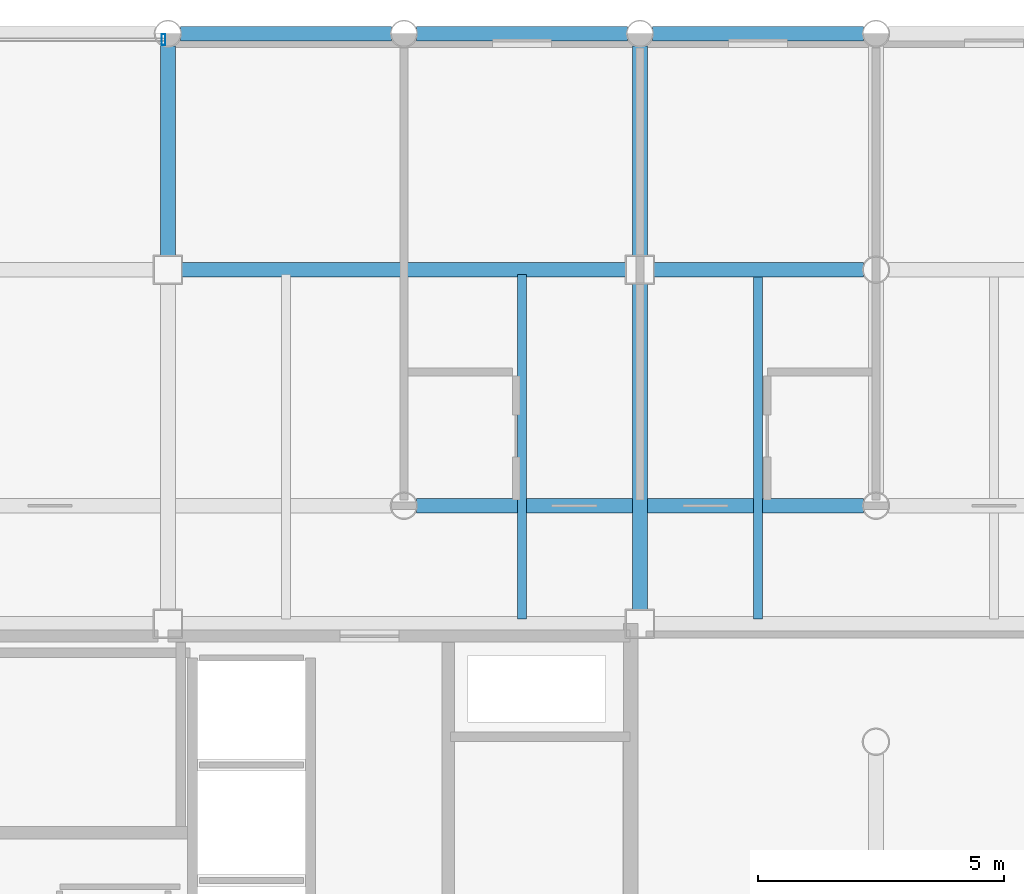
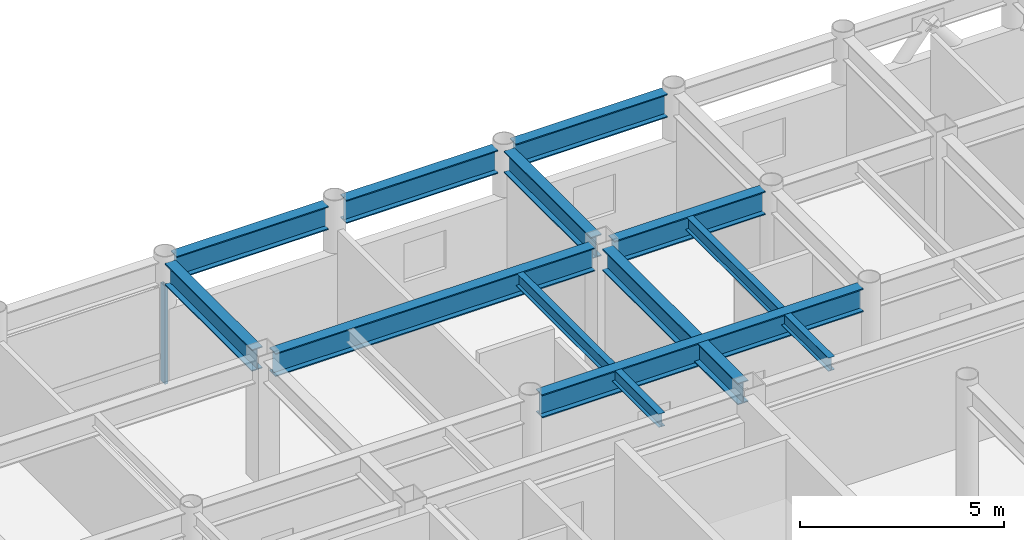
# One storey, part 14 of 22: 11 beams, 1 member, 1 element without a shape of its own.
"""IFC4 building model written with IfcOpenShell, lengths in metres."""

from ifc_helpers import new_model, si_unit, direction, frame, origin, origin_2d, place, context, subcontext, project, spatial, hollow_rectangle, i_section, extrude, material, layer, layer_set, material_profile, profile_set, type_object, element, aggregate, save


model = new_model("IFC4")

# Units and contexts
model_context = context("Model", 3, precision=1e-05, world=origin(), true_north=direction((0.0, 1.0)))
body_context = subcontext(model_context, "Body", "Model", "MODEL_VIEW")
ifc_project = project(units=[si_unit("LENGTHUNIT", "METRE"), si_unit("AREAUNIT", "SQUARE_METRE"), si_unit("VOLUMEUNIT", "CUBIC_METRE"), si_unit("PLANEANGLEUNIT", "RADIAN"), si_unit("MASSUNIT", "GRAM", prefix="KILO")], contexts=[model_context])

# Site, building, storey
site_placement = place(None, origin())
site = spatial("IfcSite", under=ifc_project, at=site_placement, CompositionType="ELEMENT")
building_placement = place(site_placement, origin())
building = spatial("IfcBuilding", under=site, at=building_placement, Name="Kallvorn Hotel Tower", CompositionType="ELEMENT")
storey_placement = place(building_placement, frame((0.0, 0.0, 203.050048828125)))
storey = spatial("IfcBuildingStorey", under=building, at=storey_placement, Name="L50", CompositionType="ELEMENT", Elevation=203.050048828125)

# Beams
ifc_material_1 = material(Name="Structural steel S355JR", Category="steel")
ifc_material_profile_1 = material_profile(ifc_material_1, i_section(OverallWidth=0.300048828125, OverallDepth=0.64990234375, WebThickness=0.01611328125, FlangeThickness=0.031005859375, at=origin_2d()), Name="HE 650 B")
ifc_profile_set_1 = profile_set([ifc_material_profile_1], Name="Structural steel S355JR")
beam_type_1 = type_object("IfcBeamType", Name="BM_HE650B", PredefinedType="BEAM", material=ifc_profile_set_1)
beam_1_placement = place(storey_placement, frame((4.800048828125, 14.675048828125, 3.344970703125), z_axis=(0.0, 1.0, 0.0), x_axis=(-1.0, 0.0, 0.0)))
element("IfcBeam", 1, at=beam_1_placement, inside=storey, type_object=beam_type_1, Name="L51 Primary Y-Girder 117", PredefinedType="BEAM", context=body_context, shape_type="SweptSolid", body=[
    extrude(i_section(OverallWidth=0.300048828125, OverallDepth=0.64990234375, WebThickness=0.01611328125, FlangeThickness=0.031005859375, at=origin_2d()), origin(), (0.0, 0.0, 1.0), 4.2705078125),
])
beam_2_placement = place(storey_placement, frame((14.39990234375, 7.47509765625, 3.344970703125), z_axis=(0.0, 1.0, 0.0), x_axis=(-1.0, 0.0, 0.0)))
element("IfcBeam", 2, at=beam_2_placement, inside=storey, type_object=beam_type_1, Name="L51 Primary Y-Girder 124", PredefinedType="BEAM", context=body_context, shape_type="SweptSolid", body=[
    extrude(i_section(OverallWidth=0.300048828125, OverallDepth=0.64990234375, WebThickness=0.01611328125, FlangeThickness=0.031005859375, at=origin_2d()), origin(), (0.0, 0.0, 1.0), 6.64990234375),
])
beam_3_placement = place(storey_placement, frame((14.39990234375, 14.675048828125, 3.344970703125), z_axis=(0.0, 1.0, 0.0), x_axis=(-1.0, 0.0, 0.0)))
element("IfcBeam", 3, at=beam_3_placement, inside=storey, type_object=beam_type_1, Name="L51 Primary Y-Girder 125", PredefinedType="BEAM", context=body_context, shape_type="SweptSolid", body=[
    extrude(i_section(OverallWidth=0.300048828125, OverallDepth=0.64990234375, WebThickness=0.01611328125, FlangeThickness=0.031005859375, at=origin_2d()), origin(), (0.0, 0.0, 1.0), 4.2705078125),
])
ifc_material_2 = material(Name="Structural steel S355JR", Category="steel")
ifc_material_profile_2 = material_profile(ifc_material_2, i_section(OverallWidth=0.300048828125, OverallDepth=0.699951171875, WebThickness=0.01708984375, FlangeThickness=0.031982421875, at=origin_2d()), Name="HE 700 B")
ifc_profile_set_2 = profile_set([ifc_material_profile_2], Name="Structural steel S355JR")
beam_type_2 = type_object("IfcBeamType", Name="BM_HE700B", PredefinedType="BEAM", material=ifc_profile_set_2)
beam_4_placement = place(storey_placement, frame((9.8544921875, 9.60009765625, 3.320068359375), z_axis=(1.0, 0.0, 0.0), x_axis=(0.0, 1.0, 0.0)))
element("IfcBeam", 4, at=beam_4_placement, inside=storey, type_object=beam_type_2, Name="L51 Primary X-Girder 47", PredefinedType="BEAM", context=body_context, shape_type="SweptSolid", body=[
    extrude(i_section(OverallWidth=0.300048828125, OverallDepth=0.699951171875, WebThickness=0.01708984375, FlangeThickness=0.031982421875, at=origin_2d()), origin(), (0.0, 0.0, 1.0), 9.091064453125),
])
beam_5_placement = place(storey_placement, frame((5.074951171875, 14.39990234375, 3.320068359375), z_axis=(1.0, 0.0, 0.0), x_axis=(0.0, 1.0, 0.0)))
element("IfcBeam", 5, at=beam_5_placement, inside=storey, type_object=beam_type_2, Name="L51 Primary X-Girder 56", PredefinedType="BEAM", context=body_context, shape_type="SweptSolid", body=[
    extrude(i_section(OverallWidth=0.300048828125, OverallDepth=0.699951171875, WebThickness=0.01708984375, FlangeThickness=0.031982421875, at=origin_2d()), origin(), (0.0, 0.0, 1.0), 9.050048828125),
])
beam_6_placement = place(storey_placement, frame((14.675048828125, 14.39990234375, 3.320068359375), z_axis=(1.0, 0.0, 0.0), x_axis=(0.0, 1.0, 0.0)))
element("IfcBeam", 6, at=beam_6_placement, inside=storey, type_object=beam_type_2, Name="L51 Primary X-Girder 57", PredefinedType="BEAM", context=body_context, shape_type="SweptSolid", body=[
    extrude(i_section(OverallWidth=0.300048828125, OverallDepth=0.699951171875, WebThickness=0.01708984375, FlangeThickness=0.031982421875, at=origin_2d()), origin(), (0.0, 0.0, 1.0), 4.2705078125),
])
for number, where, z_axis, x_axis, name in (
    (7, (5.054443359375, 19.199951171875, 3.320068359375), (1.0, 0.0, 0.0), (0.0, 1.0, 0.0), "L51 Primary X-Girder 68"),
    (8, (9.8544921875, 19.199951171875, 3.320068359375), (1.0, 0.0, 0.0), (0.0, 1.0, 0.0), "L51 Primary X-Girder 69"),
    (9, (14.654541015625, 19.199951171875, 3.320068359375), (1.0, 0.0, 0.0), (0.0, 1.0, 0.0), "L51 Primary X-Girder 70"),
):
    element("IfcBeam", number, at=place(storey_placement, frame(where, z_axis=z_axis, x_axis=x_axis)), inside=storey, type_object=beam_type_2, Name=name, PredefinedType="BEAM", context=body_context, shape_type="SweptSolid", body=[
        extrude(i_section(OverallWidth=0.300048828125, OverallDepth=0.699951171875, WebThickness=0.01708984375, FlangeThickness=0.031982421875, at=origin_2d()), origin(), (0.0, 0.0, 1.0), 4.291015625),
    ])
ifc_material_3 = material(Name="Structural steel S355JR", Category="steel")
ifc_material_profile_3 = material_profile(ifc_material_3, i_section(OverallWidth=0.179931640625, OverallDepth=0.39990234375, WebThickness=0.008544921875, FlangeThickness=0.013427734375, at=origin_2d()), Name="IPE 400")
ifc_profile_set_3 = profile_set([ifc_material_profile_3], Name="Structural steel S355JR")
beam_type_3 = type_object("IfcBeamType", Name="BM_IPE400", PredefinedType="JOIST", material=ifc_profile_set_3)
for number, where, z_axis, x_axis, name in (
    (10, (12.0, 7.300048828125, 3.469970703125), (0.0, 1.0, 0.0), (-1.0, 0.0, 0.0), "L51 Secondary Composite Joist 205"),
    (11, (16.800048828125, 7.300048828125, 3.469970703125), (0.0, 1.0, 0.0), (-1.0, 0.0, 0.0), "L51 Secondary Composite Joist 207"),
):
    element("IfcBeam", number, at=place(storey_placement, frame(where, z_axis=z_axis, x_axis=x_axis)), inside=storey, type_object=beam_type_3, Name=name, PredefinedType="JOIST", context=body_context, shape_type="SweptSolid", body=[
        extrude(i_section(OverallWidth=0.179931640625, OverallDepth=0.39990234375, WebThickness=0.008544921875, FlangeThickness=0.013427734375, at=origin_2d()), origin(), (0.0, 0.0, 1.0), 7.0),
    ])

# Curtain wall, member
ifc_material_4 = material(Name="Thermally broken black-anodised aluminium AA 6063-T6", Category="aluminium")
ifc_layer = layer(ifc_material_4, 0.22998046875)
ifc_layer_set = layer_set([ifc_layer], Name="CW_SYS_5_HOTEL_HIGH")
curtain_wall_type = type_object("IfcCurtainWallType", Name="CW_SYS_5_HOTEL_HIGH", PredefinedType="USERDEFINED", material=ifc_layer_set)
curtain_wall_placement = place(storey_placement, origin())
curtain_wall = element("IfcCurtainWall", 12, at=curtain_wall_placement, inside=storey, type_object=curtain_wall_type, Name="L50 Dark-Glass Curtain Wall CW-L50-NC", ObjectType="UNITISED CURTAIN WALL", PredefinedType="USERDEFINED")
ifc_material_5 = material(Name="Thermally broken black-anodised aluminium AA 6063-T6", Category="aluminium")
ifc_material_profile_4 = material_profile(ifc_material_5, hollow_rectangle(XDim=0.080078125, YDim=0.219970703125, WallThickness=0.0048828125, at=origin_2d()), Name="MUL 220x80")
ifc_profile_set_4 = profile_set([ifc_material_profile_4], Name="Thermally broken black-anodised aluminium AA 6063-T6")
member_type = type_object("IfcMemberType", Name="CW_MULLION_220x80", PredefinedType="MULLION", material=ifc_profile_set_4)
member_placement = place(storey_placement, frame((4.7099609375, 19.080078125, 0.02001953125), z_axis=(0.0, 0.0, 1.0), x_axis=(1.0, 0.0, 0.0)))
member = element("IfcMember", 13, at=member_placement, type_object=member_type, Name="CW-L50-NC Mullion 02", PredefinedType="MULLION", context=body_context, shape_type="SweptSolid", body=[
    extrude(hollow_rectangle(XDim=0.080078125, YDim=0.219970703125, WallThickness=0.0048828125, at=origin_2d()), origin(), (0.0, 0.0, 1.0), 2.929931640625),
])
aggregate(curtain_wall, [member])

save(model, "model.ifc")
